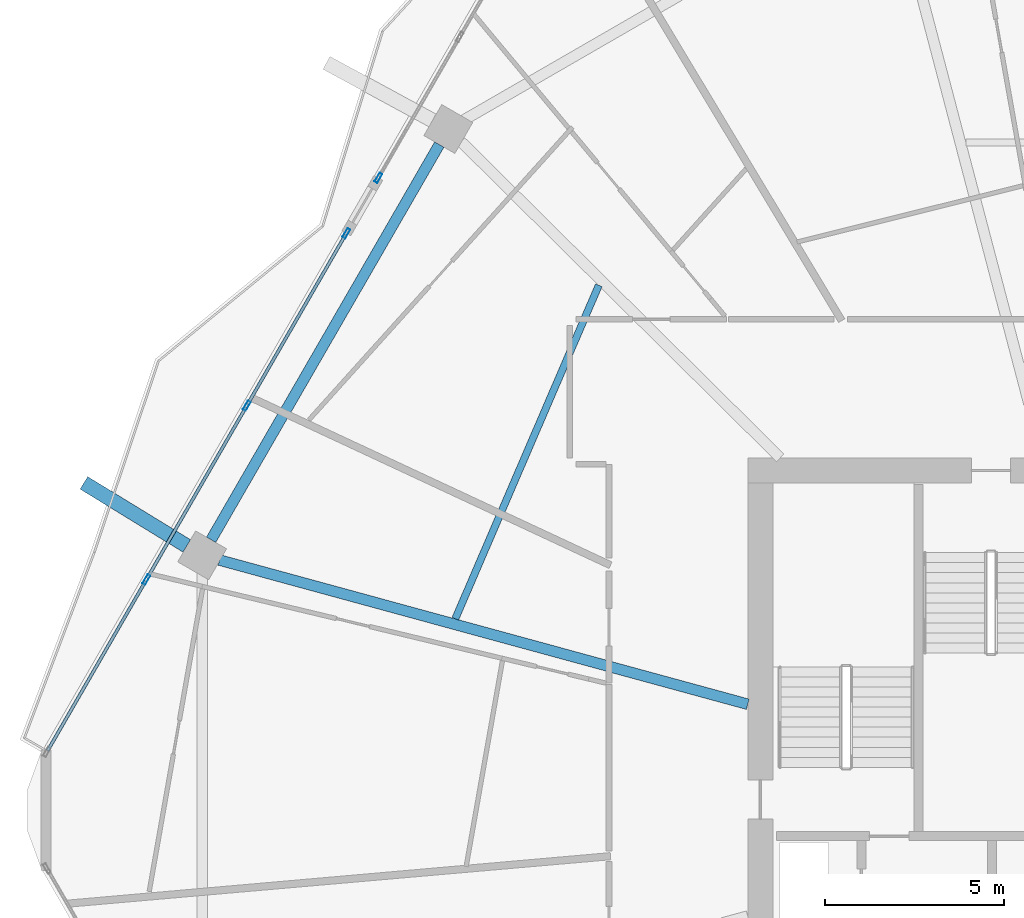
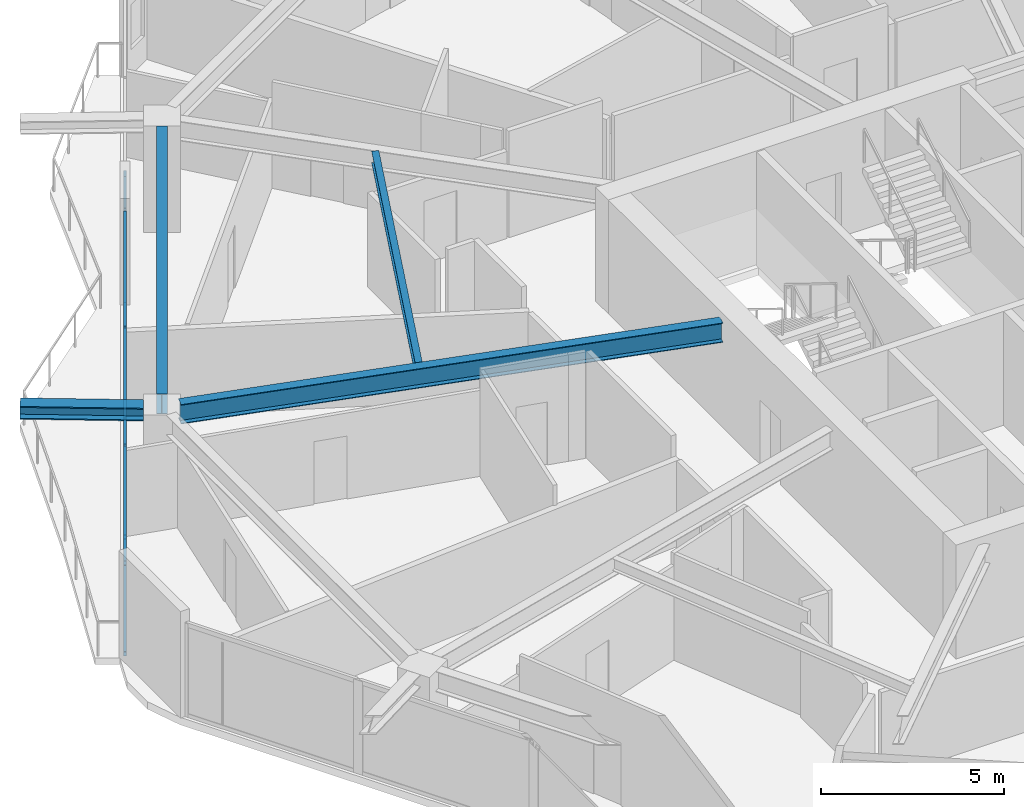
# One storey, part 10 of 26: 10 members, 4 beams, 2 elements without a shape of their own.
"""IFC4 building model written with IfcOpenShell, lengths in metres."""

from ifc_helpers import new_model, si_unit, direction, frame, origin, origin_2d, place, context, subcontext, project, spatial, hollow_rectangle, i_section, extrude, material, material_profile, profile_set, type_object, element, aggregate, save


model = new_model("IFC4")

# Units and contexts
model_context = context("Model", 3, precision=1e-05, world=origin(), true_north=direction((0.0, 1.0)))
body_context = subcontext(model_context, "Body", "Model", "MODEL_VIEW")
ifc_project = project(units=[si_unit("LENGTHUNIT", "METRE"), si_unit("AREAUNIT", "SQUARE_METRE"), si_unit("VOLUMEUNIT", "CUBIC_METRE"), si_unit("PLANEANGLEUNIT", "RADIAN"), si_unit("MASSUNIT", "GRAM", prefix="KILO")], contexts=[model_context])

# Site, building, storey
site_placement = place(None, origin())
site = spatial("IfcSite", under=ifc_project, at=site_placement, CompositionType="ELEMENT")
building_placement = place(site_placement, origin())
building = spatial("IfcBuilding", under=site, at=building_placement, Name="Zuhravey Tower", CompositionType="ELEMENT")
storey_placement = place(building_placement, frame((0.0, 0.0, 165.60009765625)))
storey = spatial("IfcBuildingStorey", under=building, at=storey_placement, Name="L41", CompositionType="ELEMENT", Elevation=165.60009765625)

# Curtain wall, members
ifc_material_1 = material(Name="Thermally broken anodised aluminium", Category="aluminium")
curtain_wall_type = type_object("IfcCurtainWallType", Name="Zone 1-2 Residential Curtain Wall CW3", PredefinedType="NOTDEFINED", material=ifc_material_1)
curtain_wall_1_placement = place(storey_placement, origin())
curtain_wall_1 = element("IfcCurtainWall", 1, at=curtain_wall_1_placement, inside=storey, type_object=curtain_wall_type, Name="L41 CW3 CW-L41-F3-1", PredefinedType="NOTDEFINED")
ifc_material_2 = material(Name="Anodised aluminium", Category="aluminium")
ifc_material_profile_1 = material_profile(ifc_material_2, hollow_rectangle(XDim=0.090087890625, YDim=0.284912109375, WallThickness=0.0048828125, at=origin_2d()), Name="ALU-RHS-90x285x5")
ifc_profile_set_1 = profile_set([ifc_material_profile_1], Name="Anodised aluminium")
member_type_1 = type_object("IfcMemberType", Name="Curtain-Wall Mullion 90x180", PredefinedType="MULLION", material=ifc_profile_set_1)
member_1_placement = place(storey_placement, frame((8.33447265625, 38.4482421875, 0.0), z_axis=(0.0, 0.0, 1.0), x_axis=(-0.866023388245, 0.500003491, 0.0)))
member_1 = element("IfcMember", 2, at=member_1_placement, type_object=member_type_1, Name="CW3 mullion 2", PredefinedType="MULLION", context=body_context, shape_type="SweptSolid", body=[
    extrude(hollow_rectangle(XDim=0.090087890625, YDim=0.284912109375, WallThickness=0.0048828125, at=origin_2d()), origin(), (0.0, 0.0, 1.0), 3.121826171875),
])
member_2_placement = place(storey_placement, frame((11.140869140625, 43.308837890625, 0.0), z_axis=(0.0, 0.0, 1.0), x_axis=(-0.866023388245, 0.500003491, 0.0)))
member_2 = element("IfcMember", 3, at=member_2_placement, type_object=member_type_1, Name="CW3 mullion 3", PredefinedType="MULLION", context=body_context, shape_type="SweptSolid", body=[
    extrude(hollow_rectangle(XDim=0.090087890625, YDim=0.284912109375, WallThickness=0.0048828125, at=origin_2d()), origin(), (0.0, 0.0, 1.0), 3.121826171875),
])
member_3_placement = place(storey_placement, frame((13.9248046875, 48.130615234375, 0.0), z_axis=(0.0, 0.0, 1.0), x_axis=(-0.866023388245, 0.500003491, 0.0)))
member_3 = element("IfcMember", 4, at=member_3_placement, type_object=member_type_1, Name="CW3 mullion 4", PredefinedType="MULLION", context=body_context, shape_type="SweptSolid", body=[
    extrude(hollow_rectangle(XDim=0.090087890625, YDim=0.284912109375, WallThickness=0.0048828125, at=origin_2d()), origin(), (0.0, 0.0, 1.0), 3.121826171875),
])

# Curtain wall, member
curtain_wall_2_placement = place(storey_placement, origin())
curtain_wall_2 = element("IfcCurtainWall", 5, at=curtain_wall_2_placement, inside=storey, type_object=curtain_wall_type, Name="L41 CW3 CW-L41-F3-2", PredefinedType="NOTDEFINED")
member_4_placement = place(storey_placement, frame((14.819580078125, 49.6806640625, 0.0), z_axis=(0.0, 0.0, 1.0), x_axis=(-0.866026750835, 0.499997666832, 0.0)))
member_4 = element("IfcMember", 6, at=member_4_placement, type_object=member_type_1, Name="CW3 mullion 1", PredefinedType="MULLION", context=body_context, shape_type="SweptSolid", body=[
    extrude(hollow_rectangle(XDim=0.090087890625, YDim=0.284912109375, WallThickness=0.0048828125, at=origin_2d()), origin(), (0.0, 0.0, 1.0), 3.121826171875),
])
aggregate(curtain_wall_2, [member_4])

# Member
ifc_material_profile_2 = material_profile(ifc_material_2, hollow_rectangle(XDim=0.090087890625, YDim=0.14990234375, WallThickness=0.0048828125, at=origin_2d()), Name="ALU-RHS-90x150x5")
ifc_profile_set_2 = profile_set([ifc_material_profile_2], Name="Anodised aluminium")
member_type_2 = type_object("IfcMemberType", Name="Curtain-Wall Transom 90x150", PredefinedType="USERDEFINED", material=ifc_profile_set_2)
member_5_placement = place(storey_placement, frame((5.5732421875, 33.66552734375, 0.044921875), z_axis=(0.500002817014, 0.866023777374, 0.0), x_axis=(-0.866023777374, 0.500002817014, 0.0)))
member_5 = element("IfcMember", 7, at=member_5_placement, type_object=member_type_2, Name="CW3 transom 1.1", ObjectType="TRANSOM", PredefinedType="USERDEFINED", context=body_context, shape_type="SweptSolid", body=[
    extrude(hollow_rectangle(XDim=0.090087890625, YDim=0.14990234375, WallThickness=0.0048828125, at=origin_2d()), origin(), (0.0, 0.0, 1.0), 5.4775390625),
])

member_6_placement = place(storey_placement, frame((5.5732421875, 33.66552734375, 3.076904296875), z_axis=(0.500002817014, 0.866023777374, 0.0), x_axis=(-0.866023777374, 0.500002817014, 0.0)))
member_6 = element("IfcMember", 8, at=member_6_placement, type_object=member_type_2, Name="CW3 transom 1.2", ObjectType="TRANSOM", PredefinedType="USERDEFINED", context=body_context, shape_type="SweptSolid", body=[
    extrude(hollow_rectangle(XDim=0.090087890625, YDim=0.14990234375, WallThickness=0.0048828125, at=origin_2d()), origin(), (0.0, 0.0, 1.0), 5.4775390625),
])

member_7_placement = place(storey_placement, frame((8.35693359375, 38.487060546875, 0.044921875), z_axis=(0.500023481156, 0.866011846508, 0.0), x_axis=(-0.866011846508, 0.500023481156, 0.0)))
member_7 = element("IfcMember", 9, at=member_7_placement, type_object=member_type_2, Name="CW3 transom 2.1", ObjectType="TRANSOM", PredefinedType="USERDEFINED", context=body_context, shape_type="SweptSolid", body=[
    extrude(hollow_rectangle(XDim=0.090087890625, YDim=0.14990234375, WallThickness=0.0048828125, at=origin_2d()), origin(), (0.0, 0.0, 1.0), 5.522705078125),
])

member_8_placement = place(storey_placement, frame((8.35693359375, 38.487060546875, 3.076904296875), z_axis=(0.500023481156, 0.866011846508, 0.0), x_axis=(-0.866011846508, 0.500023481156, 0.0)))
member_8 = element("IfcMember", 10, at=member_8_placement, type_object=member_type_2, Name="CW3 transom 2.2", ObjectType="TRANSOM", PredefinedType="USERDEFINED", context=body_context, shape_type="SweptSolid", body=[
    extrude(hollow_rectangle(XDim=0.090087890625, YDim=0.14990234375, WallThickness=0.0048828125, at=origin_2d()), origin(), (0.0, 0.0, 1.0), 5.522705078125),
])

member_9_placement = place(storey_placement, frame((11.163330078125, 43.347900390625, 0.044921875), z_axis=(0.500002817014, 0.866023777374, 0.0), x_axis=(-0.866023777374, 0.500002817014, 0.0)))
member_9 = element("IfcMember", 11, at=member_9_placement, type_object=member_type_2, Name="CW3 transom 3.1", ObjectType="TRANSOM", PredefinedType="USERDEFINED", context=body_context, shape_type="SweptSolid", body=[
    extrude(hollow_rectangle(XDim=0.090087890625, YDim=0.14990234375, WallThickness=0.0048828125, at=origin_2d()), origin(), (0.0, 0.0, 1.0), 5.4775390625),
])

member_10_placement = place(storey_placement, frame((11.163330078125, 43.347900390625, 3.076904296875), z_axis=(0.500002817014, 0.866023777374, 0.0), x_axis=(-0.866023777374, 0.500002817014, 0.0)))
member_10 = element("IfcMember", 12, at=member_10_placement, type_object=member_type_2, Name="CW3 transom 3.2", ObjectType="TRANSOM", PredefinedType="USERDEFINED", context=body_context, shape_type="SweptSolid", body=[
    extrude(hollow_rectangle(XDim=0.090087890625, YDim=0.14990234375, WallThickness=0.0048828125, at=origin_2d()), origin(), (0.0, 0.0, 1.0), 5.4775390625),
])

aggregate(curtain_wall_1, [member_1, member_2, member_3, member_5, member_6, member_7, member_8, member_9, member_10])

# Beams
ifc_material_3 = material(Name="Steel SM460", Category="steel")
ifc_material_profile_3 = material_profile(ifc_material_3, i_section(OverallWidth=0.406982421875, OverallDepth=0.427978515625, WebThickness=0.02001953125, FlangeThickness=0.034912109375, at=origin_2d()), Name="H-428x407x20x35")
ifc_profile_set_3 = profile_set([ifc_material_profile_3], Name="Steel SM460")
beam_type_1 = type_object("IfcBeamType", Name="Exoskeleton Node Tie Beam H428x407", PredefinedType="BEAM", material=ifc_profile_set_3)
beam_1_placement = place(storey_placement, frame((9.46240234375, 39.389892578125, 3.3359375), z_axis=(-0.852722972391, 0.522363410239, 0.0), x_axis=(-0.522363410239, -0.852722972391, 0.0)))
element("IfcBeam", 13, at=beam_1_placement, inside=storey, type_object=beam_type_1, Name="L41 Exoskeleton Node Tie NT1-06", PredefinedType="BEAM", context=body_context, shape_type="SweptSolid", body=[
    extrude(i_section(OverallWidth=0.406982421875, OverallDepth=0.427978515625, WebThickness=0.02001953125, FlangeThickness=0.034912109375, at=origin_2d()), origin(), (0.0, 0.0, 1.0), 3.3720703125),
])
ifc_material_4 = material(Name="Steel SM355", Category="steel")
ifc_material_profile_4 = material_profile(ifc_material_4, i_section(OverallWidth=0.300048828125, OverallDepth=0.679931640625, WebThickness=0.012939453125, FlangeThickness=0.02197265625, at=origin_2d()), Name="H-680x300x13x22")
ifc_profile_set_4 = profile_set([ifc_material_profile_4], Name="Steel SM355")
beam_type_2 = type_object("IfcBeamType", Name="Perimeter Ring Beam H680x300", PredefinedType="BEAM", material=ifc_profile_set_4)
beam_2_placement = place(storey_placement, frame((16.52294921875, 50.611083984375, 3.2099609375), z_axis=(-0.499997974489, -0.866026573211, 0.0), x_axis=(0.866026573211, -0.499997974489, 0.0)))
element("IfcBeam", 14, at=beam_2_placement, inside=storey, type_object=beam_type_2, Name="L41 PB2 BM-L41-PB-05", PredefinedType="BEAM", context=body_context, shape_type="SweptSolid", body=[
    extrude(i_section(OverallWidth=0.300048828125, OverallDepth=0.679931640625, WebThickness=0.012939453125, FlangeThickness=0.02197265625, at=origin_2d()), origin(), (0.0, 0.0, 1.0), 12.75830078125),
])
ifc_material_profile_5 = material_profile(ifc_material_4, i_section(OverallWidth=0.300048828125, OverallDepth=0.64990234375, WebThickness=0.012939453125, FlangeThickness=0.02197265625, at=origin_2d()), Name="H-650x300x13x22")
ifc_profile_set_5 = profile_set([ifc_material_profile_5], Name="Steel SM355")
beam_type_3 = type_object("IfcBeamType", Name="Radial Primary Girder H650x300", PredefinedType="BEAM", material=ifc_profile_set_5)
beam_3_placement = place(storey_placement, frame((25.14697265625, 34.96240234375, 3.224853515625), z_axis=(-0.964701601771, 0.263345437667, 0.0), x_axis=(-0.263345437667, -0.964701601771, 0.0)))
element("IfcBeam", 15, at=beam_3_placement, inside=storey, type_object=beam_type_3, Name="L41 RG2 BM-L41-RAD-06", PredefinedType="BEAM", context=body_context, shape_type="SweptSolid", body=[
    extrude(i_section(OverallWidth=0.300048828125, OverallDepth=0.64990234375, WebThickness=0.012939453125, FlangeThickness=0.02197265625, at=origin_2d()), origin(), (0.0, 0.0, 1.0), 15.309814453125),
])
ifc_material_profile_6 = material_profile(ifc_material_4, i_section(OverallWidth=0.199951171875, OverallDepth=0.39990234375, WebThickness=0.008056640625, FlangeThickness=0.012939453125, at=origin_2d()), Name="H-400x200x8x13")
ifc_profile_set_6 = profile_set([ifc_material_profile_6], Name="Steel SM355")
beam_type_4 = type_object("IfcBeamType", Name="Secondary Floor Joist H400x200", PredefinedType="JOIST", material=ifc_profile_set_6)
beam_4_placement = place(storey_placement, frame((20.982421875, 46.676025390625, 3.349853515625), z_axis=(-0.395265853487, -0.918566766799, 0.0), x_axis=(0.918566766799, -0.395265853487, 0.0)))
element("IfcBeam", 16, at=beam_4_placement, inside=storey, type_object=beam_type_4, Name="L41 SJ2 BM-L41-SJ-05-1", PredefinedType="JOIST", context=body_context, shape_type="SweptSolid", body=[
    extrude(i_section(OverallWidth=0.199951171875, OverallDepth=0.39990234375, WebThickness=0.008056640625, FlangeThickness=0.012939453125, at=origin_2d()), origin(), (0.0, 0.0, 1.0), 10.150146484375),
])

save(model, "model.ifc")
